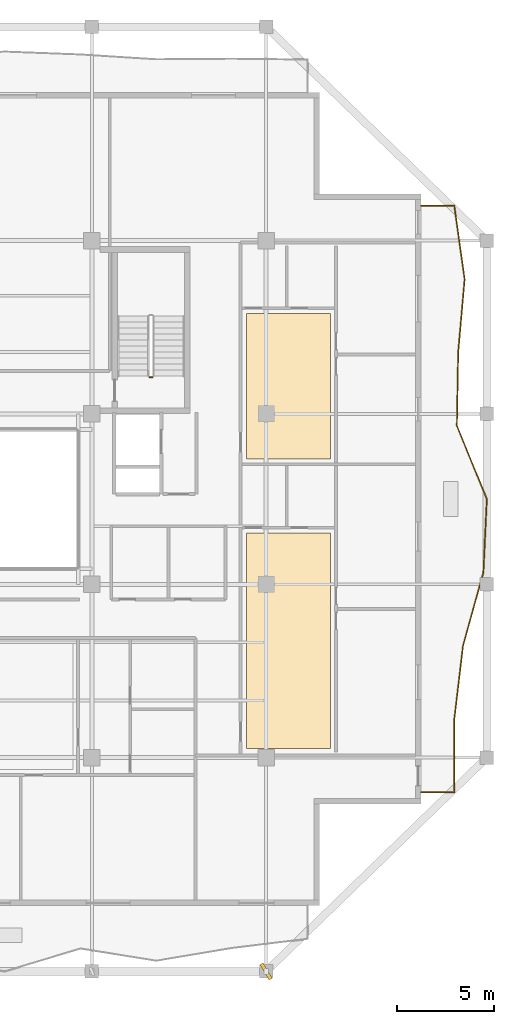
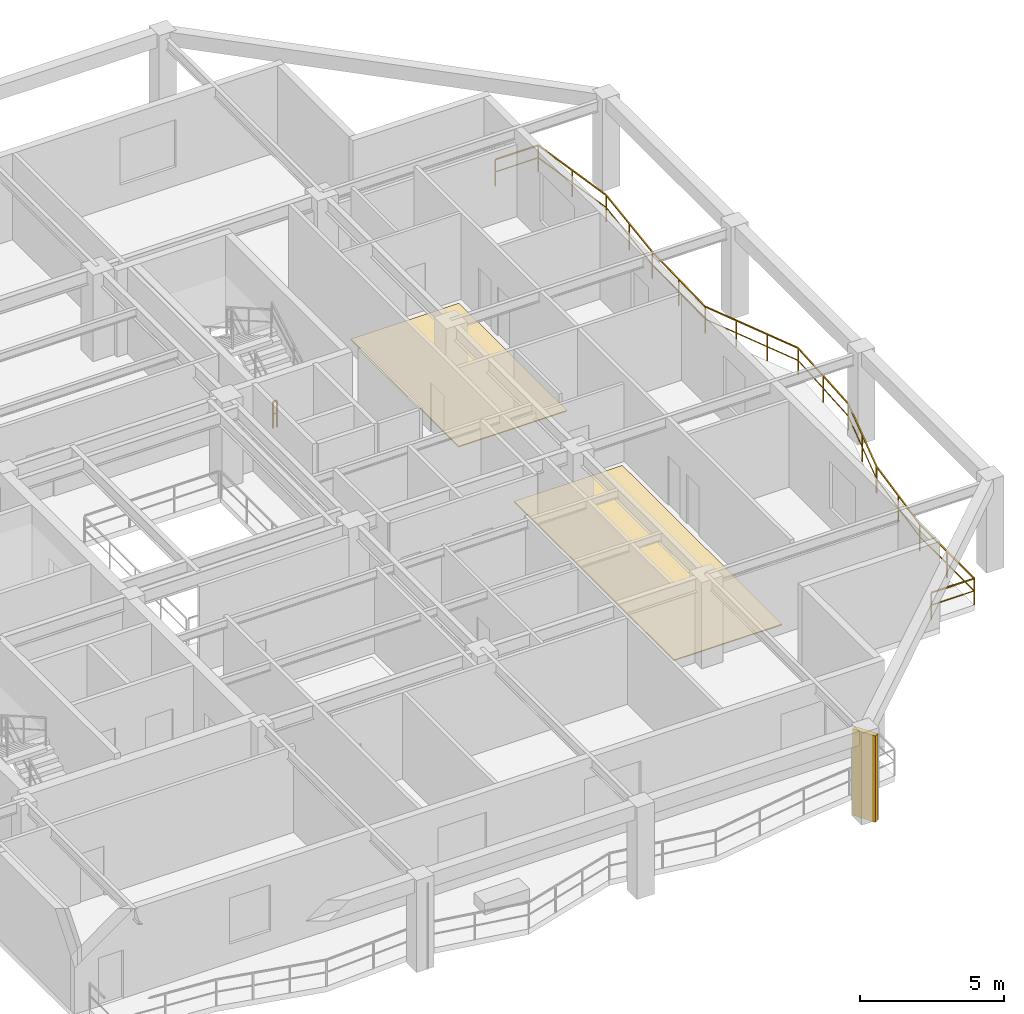
# One storey, part 10 of 12: 2 coverings, 2 railings, 1 shading device.
"""IFC4 building model written with IfcOpenShell, lengths in metres."""

from ifc_helpers import new_model, si_unit, direction, frame, origin, origin_2d, place, context, subcontext, project, spatial, polyline, rectangle, outline, extrude, material, layer, layer_set, type_object, element, save


model = new_model("IFC4")

# Units and contexts
model_context = context("Model", 3, precision=1e-05, world=origin(), true_north=direction((0.0, 1.0)))
body_context = subcontext(model_context, "Body", "Model", "MODEL_VIEW")
ifc_project = project(units=[si_unit("LENGTHUNIT", "METRE"), si_unit("AREAUNIT", "SQUARE_METRE"), si_unit("VOLUMEUNIT", "CUBIC_METRE"), si_unit("PLANEANGLEUNIT", "RADIAN"), si_unit("MASSUNIT", "GRAM", prefix="KILO")], contexts=[model_context])

# Site, building, storey
site_placement = place(None, origin())
site = spatial("IfcSite", under=ifc_project, at=site_placement, CompositionType="ELEMENT")
building_placement = place(site_placement, origin())
building = spatial("IfcBuilding", under=site, at=building_placement, Name="Kundavana Baori Tower", CompositionType="ELEMENT")
storey_placement = place(building_placement, frame((0.0, 0.0, 245.300048828125)))
storey = spatial("IfcBuildingStorey", under=building, at=storey_placement, Name="L60", CompositionType="ELEMENT", Elevation=245.300048828125)

# Coverings
ifc_material_1 = material(Name="Honed Kota Stone and Terrazzo Flooring", Category="masonry")
ifc_layer = layer(ifc_material_1, 0.0400390625, Name="COV-FLR-TERR-40")
ifc_layer_set = layer_set([ifc_layer], Name="Honed Kota Stone and Terrazzo Flooring")
covering_type = type_object("IfcCoveringType", Name="COV-FLR-TERR-40", PredefinedType="FLOORING", material=ifc_layer_set)
covering_1_placement = place(storey_placement, origin())
element("IfcCovering", 1, at=covering_1_placement, inside=storey, type_object=covering_type, Name="L60 Room Finished Stone Flooring 4", PredefinedType="FLOORING", context=body_context, shape_type="SweptSolid", body=[
    extrude(outline(polyline([(41.780029296875, 15.72998046875), (46.1298828125, 15.72998046875), (46.1298828125, 26.840087890625), (41.780029296875, 26.840087890625), (41.780029296875, 15.72998046875)])), origin(), (0.0, 0.0, 1.0), 0.0400390625),
])
covering_2_placement = place(storey_placement, origin())
element("IfcCovering", 2, at=covering_2_placement, inside=storey, type_object=covering_type, Name="L60 Room Finished Stone Flooring 5", PredefinedType="FLOORING", context=body_context, shape_type="SweptSolid", body=[
    extrude(outline(polyline([(41.780029296875, 30.679931640625), (46.1298828125, 30.679931640625), (46.1298828125, 38.18994140625), (41.780029296875, 38.18994140625), (41.780029296875, 30.679931640625)])), origin(), (0.0, 0.0, 1.0), 0.0400390625),
])

# Railings
ifc_material_2 = material(Name="Architectural Patinated Bronze Metalwork")
railing_type_1 = type_object("IfcRailingType", Name="RL-BAL-1150", PredefinedType="BALUSTRADE", material=ifc_material_2)
railing_1_placement = place(storey_placement, frame((50.800048828125, 43.75, 0.0)))
element("IfcRailing", 3, at=railing_1_placement, inside=storey, type_object=railing_type_1, Name="L60 Loggia Balcony Balustrade E", PredefinedType="BALUSTRADE", context=body_context, shape_type="SweptSolid", body=[
    extrude(rectangle(XDim=0.048095703125, YDim=0.048095703125, at=origin_2d()), frame((0.0, 0.0, 1.1259765625), z_axis=(1.0, 0.0, 0.0), x_axis=(0.0, 1.0, 0.0)), (0.0, 0.0, 1.0), 1.719970703125),
    extrude(rectangle(XDim=0.03125, YDim=0.03125, at=origin_2d()), frame((0.0, 0.0, 0.597900390625), z_axis=(1.0, 0.0, 0.0), x_axis=(0.0, 1.0, 0.0)), (0.0, 0.0, 1.0), 1.719970703125),
    extrude(rectangle(XDim=0.048095703125, YDim=0.048095703125, at=origin_2d()), frame((1.719970703125, 0.0, 1.1259765625), z_axis=(0.140072192511, -0.990141293395, 0.0), x_axis=(0.990141293395, 0.140072192511, 0.0)), (0.0, 0.0, 1.0), 3.82568359375),
    extrude(rectangle(XDim=0.03125, YDim=0.03125, at=origin_2d()), frame((1.719970703125, 0.0, 0.597900390625), z_axis=(0.140072192511, -0.990141293395, 0.0), x_axis=(0.990141293395, 0.140072192511, 0.0)), (0.0, 0.0, 1.0), 3.82568359375),
    extrude(rectangle(XDim=0.048095703125, YDim=0.048095703125, at=origin_2d()), frame((2.255859375, -3.7880859375, 1.1259765625), z_axis=(-0.087599540451, -0.996155771209, 0.0), x_axis=(0.996155771209, -0.087599540451, 0.0)), (0.0, 0.0, 1.0), 3.801513671875),
    extrude(rectangle(XDim=0.03125, YDim=0.03125, at=origin_2d()), frame((2.255859375, -3.7880859375, 0.597900390625), z_axis=(-0.087599540451, -0.996155771209, 0.0), x_axis=(0.996155771209, -0.087599540451, 0.0)), (0.0, 0.0, 1.0), 3.801513671875),
    extrude(rectangle(XDim=0.048095703125, YDim=0.048095703125, at=origin_2d()), frame((1.9228515625, -7.574951171875, 1.1259765625), z_axis=(-0.017918731702, -0.999839446638, 0.0), x_axis=(0.999839446638, -0.017918731702, 0.0)), (0.0, 0.0, 1.0), 3.78759765625),
    extrude(rectangle(XDim=0.03125, YDim=0.03125, at=origin_2d()), frame((1.9228515625, -7.574951171875, 0.597900390625), z_axis=(-0.017918731702, -0.999839446638, 0.0), x_axis=(0.999839446638, -0.017918731702, 0.0)), (0.0, 0.0, 1.0), 3.78759765625),
    extrude(rectangle(XDim=0.048095703125, YDim=0.048095703125, at=origin_2d()), frame((1.85498046875, -11.362060546875, 1.1259765625), z_axis=(0.377658944289, -0.925944772542, 0.0), x_axis=(0.925944772542, 0.377658944289, 0.0)), (0.0, 0.0, 1.0), 4.0908203125),
    extrude(rectangle(XDim=0.03125, YDim=0.03125, at=origin_2d()), frame((1.85498046875, -11.362060546875, 0.597900390625), z_axis=(0.377658944289, -0.925944772542, 0.0), x_axis=(0.925944772542, 0.377658944289, 0.0)), (0.0, 0.0, 1.0), 4.0908203125),
    extrude(rectangle(XDim=0.048095703125, YDim=0.048095703125, at=origin_2d()), frame((3.39990234375, -15.14990234375, 1.1259765625), z_axis=(-0.04667503492, -0.998910126646, 0.0), x_axis=(0.998910126646, -0.04667503492, 0.0)), (0.0, 0.0, 1.0), 3.792236328125),
    extrude(rectangle(XDim=0.03125, YDim=0.03125, at=origin_2d()), frame((3.39990234375, -15.14990234375, 0.597900390625), z_axis=(-0.04667503492, -0.998910126646, 0.0), x_axis=(0.998910126646, -0.04667503492, 0.0)), (0.0, 0.0, 1.0), 3.792236328125),
    extrude(rectangle(XDim=0.048095703125, YDim=0.048095703125, at=origin_2d()), frame((3.222900390625, -18.93798828125, 1.1259765625), z_axis=(-0.267188862303, -0.963644183224, 0.0), x_axis=(0.963644183224, -0.267188862303, 0.0)), (0.0, 0.0, 1.0), 3.929931640625),
    extrude(rectangle(XDim=0.03125, YDim=0.03125, at=origin_2d()), frame((3.222900390625, -18.93798828125, 0.597900390625), z_axis=(-0.267188862303, -0.963644183224, 0.0), x_axis=(0.963644183224, -0.267188862303, 0.0)), (0.0, 0.0, 1.0), 3.929931640625),
    extrude(rectangle(XDim=0.048095703125, YDim=0.048095703125, at=origin_2d()), frame((2.1728515625, -22.72509765625, 1.1259765625), z_axis=(-0.118241445606, -0.992984874276, 0.0), x_axis=(0.992984874276, -0.118241445606, 0.0)), (0.0, 0.0, 1.0), 3.813720703125),
    extrude(rectangle(XDim=0.03125, YDim=0.03125, at=origin_2d()), frame((2.1728515625, -22.72509765625, 0.597900390625), z_axis=(-0.118241445606, -0.992984874276, 0.0), x_axis=(0.992984874276, -0.118241445606, 0.0)), (0.0, 0.0, 1.0), 3.813720703125),
    extrude(rectangle(XDim=0.048095703125, YDim=0.048095703125, at=origin_2d()), frame((1.721923828125, -26.511962890625, 1.1259765625), z_axis=(-0.000515596735, -0.99999986708, 0.0), x_axis=(0.99999986708, -0.000515596735, 0.0)), (0.0, 0.0, 1.0), 3.7880859375),
    extrude(rectangle(XDim=0.03125, YDim=0.03125, at=origin_2d()), frame((1.721923828125, -26.511962890625, 0.597900390625), z_axis=(-0.000515596735, -0.99999986708, 0.0), x_axis=(0.99999986708, -0.000515596735, 0.0)), (0.0, 0.0, 1.0), 3.7880859375),
    extrude(rectangle(XDim=0.048095703125, YDim=0.048095703125, at=origin_2d()), frame((1.719970703125, -30.300048828125, 1.1259765625), z_axis=(-1.0, 0.0, 0.0), x_axis=(0.0, -1.0, 0.0)), (0.0, 0.0, 1.0), 1.719970703125),
    extrude(rectangle(XDim=0.03125, YDim=0.03125, at=origin_2d()), frame((1.719970703125, -30.300048828125, 0.597900390625), z_axis=(-1.0, 0.0, 0.0), x_axis=(0.0, -1.0, 0.0)), (0.0, 0.0, 1.0), 1.719970703125),
    extrude(rectangle(XDim=0.0419921875, YDim=0.0419921875, at=origin_2d()), origin(), (0.0, 0.0, 1.0), 1.101806640625),
    extrude(rectangle(XDim=0.0419921875, YDim=0.0419921875, at=origin_2d()), frame((1.719970703125, 0.0, 0.0)), (0.0, 0.0, 1.0), 1.101806640625),
    extrude(rectangle(XDim=0.0419921875, YDim=0.0419921875, at=origin_2d()), frame((1.98779296875, -1.89404296875, 0.0)), (0.0, 0.0, 1.0), 1.101806640625),
    extrude(rectangle(XDim=0.0419921875, YDim=0.0419921875, at=origin_2d()), frame((2.255859375, -3.7880859375, 0.0)), (0.0, 0.0, 1.0), 1.101806640625),
    extrude(rectangle(XDim=0.0419921875, YDim=0.0419921875, at=origin_2d()), frame((2.08935546875, -5.681640625, 0.0)), (0.0, 0.0, 1.0), 1.101806640625),
    extrude(rectangle(XDim=0.0419921875, YDim=0.0419921875, at=origin_2d()), frame((1.9228515625, -7.574951171875, 0.0)), (0.0, 0.0, 1.0), 1.101806640625),
    extrude(rectangle(XDim=0.0419921875, YDim=0.0419921875, at=origin_2d()), frame((1.888916015625, -9.468505859375, 0.0)), (0.0, 0.0, 1.0), 1.101806640625),
    extrude(rectangle(XDim=0.0419921875, YDim=0.0419921875, at=origin_2d()), frame((1.85498046875, -11.362060546875, 0.0)), (0.0, 0.0, 1.0), 1.101806640625),
    extrude(rectangle(XDim=0.0419921875, YDim=0.0419921875, at=origin_2d()), frame((2.369873046875, -12.624755859375, 0.0)), (0.0, 0.0, 1.0), 1.101806640625),
    extrude(rectangle(XDim=0.0419921875, YDim=0.0419921875, at=origin_2d()), frame((2.885009765625, -13.88720703125, 0.0)), (0.0, 0.0, 1.0), 1.101806640625),
    extrude(rectangle(XDim=0.0419921875, YDim=0.0419921875, at=origin_2d()), frame((3.39990234375, -15.14990234375, 0.0)), (0.0, 0.0, 1.0), 1.101806640625),
    extrude(rectangle(XDim=0.0419921875, YDim=0.0419921875, at=origin_2d()), frame((3.3115234375, -17.0439453125, 0.0)), (0.0, 0.0, 1.0), 1.101806640625),
    extrude(rectangle(XDim=0.0419921875, YDim=0.0419921875, at=origin_2d()), frame((3.222900390625, -18.93798828125, 0.0)), (0.0, 0.0, 1.0), 1.101806640625),
    extrude(rectangle(XDim=0.0419921875, YDim=0.0419921875, at=origin_2d()), frame((2.69775390625, -20.83154296875, 0.0)), (0.0, 0.0, 1.0), 1.101806640625),
    extrude(rectangle(XDim=0.0419921875, YDim=0.0419921875, at=origin_2d()), frame((2.1728515625, -22.72509765625, 0.0)), (0.0, 0.0, 1.0), 1.101806640625),
    extrude(rectangle(XDim=0.0419921875, YDim=0.0419921875, at=origin_2d()), frame((1.947265625, -24.61865234375, 0.0)), (0.0, 0.0, 1.0), 1.101806640625),
    extrude(rectangle(XDim=0.0419921875, YDim=0.0419921875, at=origin_2d()), frame((1.721923828125, -26.511962890625, 0.0)), (0.0, 0.0, 1.0), 1.101806640625),
    extrude(rectangle(XDim=0.0419921875, YDim=0.0419921875, at=origin_2d()), frame((1.720947265625, -28.406005859375, 0.0)), (0.0, 0.0, 1.0), 1.101806640625),
    extrude(rectangle(XDim=0.0419921875, YDim=0.0419921875, at=origin_2d()), frame((1.719970703125, -30.300048828125, 0.0)), (0.0, 0.0, 1.0), 1.101806640625),
    extrude(rectangle(XDim=0.0419921875, YDim=0.0419921875, at=origin_2d()), frame((0.0, -30.300048828125, 0.0)), (0.0, 0.0, 1.0), 1.101806640625),
])
ifc_material_3 = material(Name="Architectural Patinated Bronze Metalwork")
railing_type_2 = type_object("IfcRailingType", Name="RL-GRD-1150", PredefinedType="GUARDRAIL", material=ifc_material_3)
railing_2_placement = place(storey_placement, frame((36.929931640625, 34.89990234375, 0.0)))
element("IfcRailing", 4, at=railing_2_placement, inside=storey, type_object=railing_type_2, Name="L60 ST3 stair guard 4", PredefinedType="GUARDRAIL", context=body_context, shape_type="SweptSolid", body=[
    extrude(rectangle(XDim=0.048095703125, YDim=0.048095703125, at=origin_2d()), frame((0.0, 0.0, 1.1259765625), z_axis=(-1.0, 0.0, 0.0), x_axis=(0.0, -1.0, 0.0)), (0.0, 0.0, 1.0), 0.159912109375),
    extrude(rectangle(XDim=0.03125, YDim=0.03125, at=origin_2d()), frame((0.0, 0.0, 0.597900390625), z_axis=(-1.0, 0.0, 0.0), x_axis=(0.0, -1.0, 0.0)), (0.0, 0.0, 1.0), 0.159912109375),
    extrude(rectangle(XDim=0.0419921875, YDim=0.0419921875, at=origin_2d()), origin(), (0.0, 0.0, 1.0), 1.101806640625),
    extrude(rectangle(XDim=0.0419921875, YDim=0.0419921875, at=origin_2d()), frame((-0.159912109375, 0.0, 0.0)), (0.0, 0.0, 1.0), 1.101806640625),
])

# Shading device
ifc_material_4 = material(Name="Red-Buff Dholpur Sandstone Cladding on Concrete C40/50", Category="masonry")
shading_device_type = type_object("IfcShadingDeviceType", Name="SHD-FIN-920", PredefinedType="JALOUSIE", material=ifc_material_4)
shading_device_placement = place(storey_placement, frame((42.800048828125, 4.199951171875, 0.0), z_axis=(0.0, 0.0, 1.0), x_axis=(0.860030432306, 0.510242741749, 0.0)))
element("IfcShadingDevice", 5, at=shading_device_placement, inside=storey, type_object=shading_device_type, Name="L60 Sweeping Dholpur Sandstone Facade Fin 4", PredefinedType="JALOUSIE", context=body_context, shape_type="SweptSolid", body=[
    extrude(rectangle(XDim=0.179931640625, YDim=0.919921875, at=origin_2d()), origin(), (0.0, 0.0, 1.0), 3.659912109375),
])

save(model, "model.ifc")
